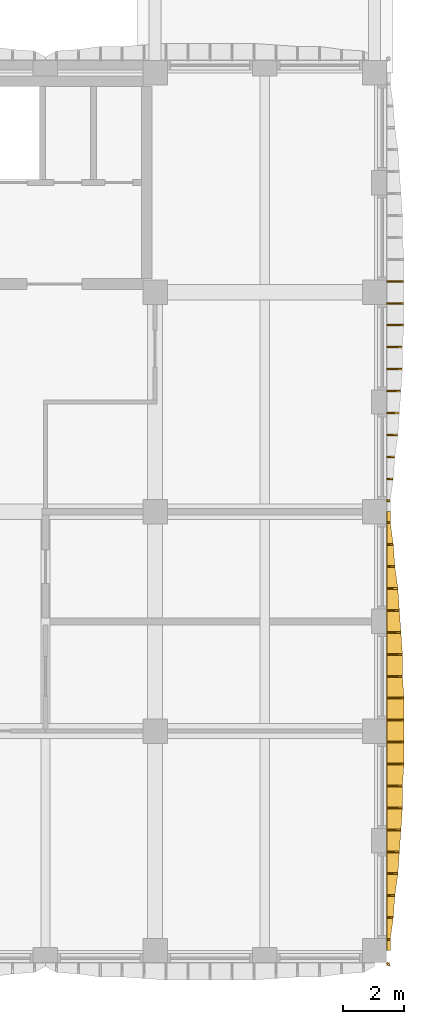
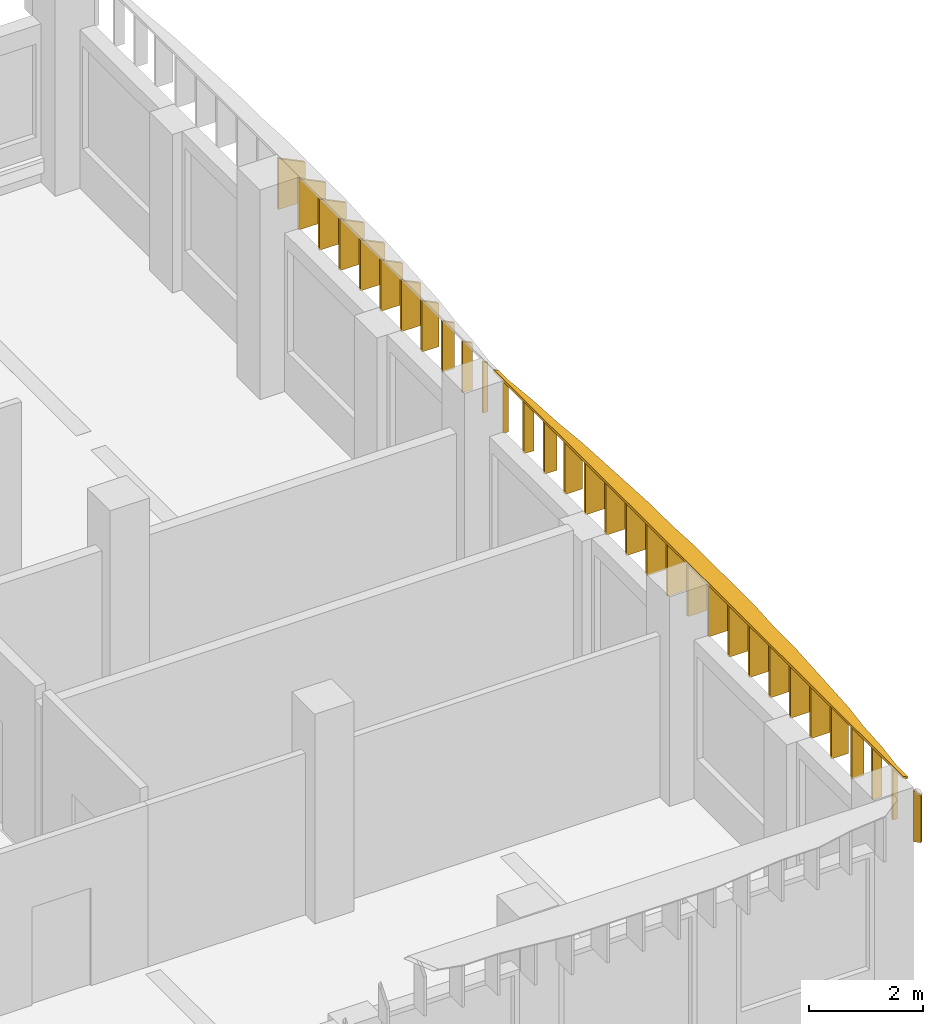
# One storey, part 41 of 59: 33 shading devices.
"""IFC4 building model written with IfcOpenShell, lengths in metres."""

from ifc_helpers import new_model, si_unit, direction, frame, origin, place, context, subcontext, project, spatial, polyline, outline, extrude, material, layer, layer_set, type_object, element, save


model = new_model("IFC4")

# Units and contexts
model_context = context("Model", 3, precision=1e-05, world=origin(), true_north=direction((0.0, 1.0)))
body_context = subcontext(model_context, "Body", "Model", "MODEL_VIEW")
ifc_project = project(units=[si_unit("LENGTHUNIT", "METRE"), si_unit("AREAUNIT", "SQUARE_METRE"), si_unit("VOLUMEUNIT", "CUBIC_METRE"), si_unit("PLANEANGLEUNIT", "RADIAN"), si_unit("MASSUNIT", "GRAM", prefix="KILO")], contexts=[model_context])

# Site, building, storey
site_placement = place(None, origin())
site = spatial("IfcSite", under=ifc_project, at=site_placement, CompositionType="ELEMENT")
building_placement = place(site_placement, origin())
building = spatial("IfcBuilding", under=site, at=building_placement, Name="Ussher Court Research Institute", CompositionType="ELEMENT")
storey_placement = place(building_placement, frame((0.0, 0.0, 5.39990234375)))
storey = spatial("IfcBuildingStorey", under=building, at=storey_placement, Name="L01", CompositionType="ELEMENT", Elevation=5.39990234375)

# Shading devices
ifc_material_1 = material(Name="Bronze anodised aluminium", Category="aluminium")
ifc_layer_1 = layer(ifc_material_1, 0.050048828125)
ifc_layer_set_1 = layer_set([ifc_layer_1], Name="Bronze anodised aluminium")
shading_device_type_1 = type_object("IfcShadingDeviceType", Name="Brim blade 100 mm deep 1100 mm high canted 26 deg wet", PredefinedType="USERDEFINED", material=ifc_layer_set_1)
for number, where, z_axis, x_axis, name in (
    (1, (104.199951171875, 18.760009765625, 3.35009765625), (0.0, 0.0, 1.0), (1.0, 0.0, 0.0), "Brim blade BS10 L01"),
    (2, (104.199951171875, 18.0400390625, 3.35009765625), (0.0, 0.0, 1.0), (1.0, 0.0, 0.0), "Brim blade BS10 L01"),
    (3, (104.199951171875, 4.360107421875, 3.35009765625), (0.0, 0.0, 1.0), (1.0, 0.0, 0.0), "Brim blade BS10 L01"),
):
    element("IfcShadingDevice", number, at=place(storey_placement, frame(where, z_axis=z_axis, x_axis=x_axis)), inside=storey, type_object=shading_device_type_1, Name=name, ObjectType="BLADE", PredefinedType="USERDEFINED", context=body_context, shape_type="SweptSolid", body=[
        extrude(outline(polyline([(0.0, 0.0), (0.10009765625, 0.0), (0.10009765625, 1.05126953125), (0.0, 1.10009765625), (0.0, 0.0)])), frame((0.0, 0.02490234375, 0.0), z_axis=(0.0, -1.0, 0.0), x_axis=(1.0, 0.0, 0.0)), (0.0, 0.0, 1.0), 0.050048828125),
    ])
ifc_material_2 = material(Name="Bronze anodised aluminium", Category="aluminium")
ifc_layer_2 = layer(ifc_material_2, 0.050048828125)
ifc_layer_set_2 = layer_set([ifc_layer_2], Name="Bronze anodised aluminium")
shading_device_type_2 = type_object("IfcShadingDeviceType", Name="Brim blade 200 mm deep 1100 mm high canted 26 deg wet", PredefinedType="USERDEFINED", material=ifc_layer_set_2)
for number, where, z_axis, x_axis, name in (
    (4, (104.199951171875, 19.47998046875, 3.35009765625), (0.0, 0.0, 1.0), (1.0, 0.0, 0.0), "Brim blade BS08 L01"),
    (5, (104.199951171875, 17.320068359375, 3.35009765625), (0.0, 0.0, 1.0), (1.0, 0.0, 0.0), "Brim blade BS08 L01"),
    (6, (104.199951171875, 5.080078125, 3.35009765625), (0.0, 0.0, 1.0), (1.0, 0.0, 0.0), "Brim blade BS08 L01"),
):
    element("IfcShadingDevice", number, at=place(storey_placement, frame(where, z_axis=z_axis, x_axis=x_axis)), inside=storey, type_object=shading_device_type_2, Name=name, ObjectType="BLADE", PredefinedType="USERDEFINED", context=body_context, shape_type="SweptSolid", body=[
        extrude(outline(polyline([(0.0, 0.0), (0.199951171875, 0.0), (0.199951171875, 1.00244140625), (0.0, 1.10009765625), (0.0, 0.0)])), frame((0.0, 0.02490234375, 0.0), z_axis=(0.0, -1.0, 0.0), x_axis=(1.0, 0.0, 0.0)), (0.0, 0.0, 1.0), 0.050048828125),
    ])
ifc_material_3 = material(Name="Bronze anodised aluminium", Category="aluminium")
ifc_layer_3 = layer(ifc_material_3, 0.050048828125)
ifc_layer_set_3 = layer_set([ifc_layer_3], Name="Bronze anodised aluminium")
shading_device_type_3 = type_object("IfcShadingDeviceType", Name="Brim blade 250 mm deep 1100 mm high canted 26 deg wet", PredefinedType="USERDEFINED", material=ifc_layer_set_3)
for number, where, z_axis, x_axis, name in (
    (7, (104.199951171875, 20.199951171875, 3.35009765625), (0.0, 0.0, 1.0), (1.0, 0.0, 0.0), "Brim blade BS07 L01"),
    (8, (104.199951171875, 16.60009765625, 3.35009765625), (0.0, 0.0, 1.0), (1.0, 0.0, 0.0), "Brim blade BS07 L01"),
    (9, (104.199951171875, 5.800048828125, 3.35009765625), (0.0, 0.0, 1.0), (1.0, 0.0, 0.0), "Brim blade BS07 L01"),
):
    element("IfcShadingDevice", number, at=place(storey_placement, frame(where, z_axis=z_axis, x_axis=x_axis)), inside=storey, type_object=shading_device_type_3, Name=name, ObjectType="BLADE", PredefinedType="USERDEFINED", context=body_context, shape_type="SweptSolid", body=[
        extrude(outline(polyline([(0.0, 0.0), (0.25, 0.0), (0.25, 0.97802734375), (0.0, 1.10009765625), (0.0, 0.0)])), frame((0.0, 0.02490234375, 0.0), z_axis=(0.0, -1.0, 0.0), x_axis=(1.0, 0.0, 0.0)), (0.0, 0.0, 1.0), 0.050048828125),
    ])
ifc_material_4 = material(Name="Bronze anodised aluminium", Category="aluminium")
ifc_layer_4 = layer(ifc_material_4, 0.050048828125)
ifc_layer_set_4 = layer_set([ifc_layer_4], Name="Bronze anodised aluminium")
shading_device_type_4 = type_object("IfcShadingDeviceType", Name="Brim blade 350 mm deep 1100 mm high canted 26 deg wet", PredefinedType="USERDEFINED", material=ifc_layer_set_4)
for number, where, z_axis, x_axis, name in (
    (10, (104.199951171875, 20.919921875, 3.35009765625), (0.0, 0.0, 1.0), (1.0, 0.0, 0.0), "Brim blade BS05 L01"),
    (11, (104.199951171875, 15.8798828125, 3.35009765625), (0.0, 0.0, 1.0), (1.0, 0.0, 0.0), "Brim blade BS05 L01"),
    (12, (104.199951171875, 6.52001953125, 3.35009765625), (0.0, 0.0, 1.0), (1.0, 0.0, 0.0), "Brim blade BS05 L01"),
):
    element("IfcShadingDevice", number, at=place(storey_placement, frame(where, z_axis=z_axis, x_axis=x_axis)), inside=storey, type_object=shading_device_type_4, Name=name, ObjectType="BLADE", PredefinedType="USERDEFINED", context=body_context, shape_type="SweptSolid", body=[
        extrude(outline(polyline([(0.0, 0.0), (0.35009765625, 0.0), (0.35009765625, 0.92919921875), (0.0, 1.10009765625), (0.0, 0.0)])), frame((0.0, 0.02490234375, 0.0), z_axis=(0.0, -1.0, 0.0), x_axis=(1.0, 0.0, 0.0)), (0.0, 0.0, 1.0), 0.050048828125),
    ])
ifc_material_5 = material(Name="Bronze anodised aluminium", Category="aluminium")
ifc_layer_5 = layer(ifc_material_5, 0.050048828125)
ifc_layer_set_5 = layer_set([ifc_layer_5], Name="Bronze anodised aluminium")
shading_device_type_5 = type_object("IfcShadingDeviceType", Name="Brim blade 400 mm deep 1100 mm high canted 26 deg wet", PredefinedType="USERDEFINED", material=ifc_layer_set_5)
for number, where, z_axis, x_axis, name in (
    (13, (104.199951171875, 21.639892578125, 3.35009765625), (0.0, 0.0, 1.0), (1.0, 0.0, 0.0), "Brim blade BS04 L01"),
    (14, (104.199951171875, 15.159912109375, 3.35009765625), (0.0, 0.0, 1.0), (1.0, 0.0, 0.0), "Brim blade BS04 L01"),
    (15, (104.199951171875, 7.239990234375, 3.35009765625), (0.0, 0.0, 1.0), (1.0, 0.0, 0.0), "Brim blade BS04 L01"),
):
    element("IfcShadingDevice", number, at=place(storey_placement, frame(where, z_axis=z_axis, x_axis=x_axis)), inside=storey, type_object=shading_device_type_5, Name=name, ObjectType="BLADE", PredefinedType="USERDEFINED", context=body_context, shape_type="SweptSolid", body=[
        extrude(outline(polyline([(0.0, 0.0), (0.400146484375, 0.0), (0.39990234375, 0.90478515625), (0.0, 1.10009765625), (0.0, 0.0)])), frame((0.0, 0.02490234375, 0.0), z_axis=(0.0, -1.0, 0.0), x_axis=(1.0, 0.0, 0.0)), (0.0, 0.0, 1.0), 0.050048828125),
    ])
ifc_material_6 = material(Name="Bronze anodised aluminium", Category="aluminium")
ifc_layer_6 = layer(ifc_material_6, 0.050048828125)
ifc_layer_set_6 = layer_set([ifc_layer_6], Name="Bronze anodised aluminium")
shading_device_type_6 = type_object("IfcShadingDeviceType", Name="Brim blade 450 mm deep 1100 mm high canted 26 deg wet", PredefinedType="USERDEFINED", material=ifc_layer_set_6)
for number, where, z_axis, x_axis, name in (
    (16, (104.199951171875, 22.360107421875, 3.35009765625), (0.0, 0.0, 1.0), (1.0, 0.0, 0.0), "Brim blade BS03 L01"),
    (17, (104.199951171875, 14.43994140625, 3.35009765625), (0.0, 0.0, 1.0), (1.0, 0.0, 0.0), "Brim blade BS03 L01"),
    (18, (104.199951171875, 7.9599609375, 3.35009765625), (0.0, 0.0, 1.0), (1.0, 0.0, 0.0), "Brim blade BS03 L01"),
):
    element("IfcShadingDevice", number, at=place(storey_placement, frame(where, z_axis=z_axis, x_axis=x_axis)), inside=storey, type_object=shading_device_type_6, Name=name, ObjectType="BLADE", PredefinedType="USERDEFINED", context=body_context, shape_type="SweptSolid", body=[
        extrude(outline(polyline([(0.0, 0.0), (0.449951171875, 0.0), (0.449951171875, 0.880615234375), (0.0, 1.10009765625), (0.0, 0.0)])), frame((0.0, 0.02490234375, 0.0), z_axis=(0.0, -1.0, 0.0), x_axis=(1.0, 0.0, 0.0)), (0.0, 0.0, 1.0), 0.050048828125),
    ])
ifc_material_7 = material(Name="Bronze anodised aluminium", Category="aluminium")
ifc_layer_7 = layer(ifc_material_7, 0.050048828125)
ifc_layer_set_7 = layer_set([ifc_layer_7], Name="Bronze anodised aluminium")
shading_device_type_7 = type_object("IfcShadingDeviceType", Name="Brim blade 500 mm deep 1100 mm high canted 26 deg wet", PredefinedType="USERDEFINED", material=ifc_layer_set_7)
for number, where, z_axis, x_axis, name in (
    (19, (104.199951171875, 23.800048828125, 3.35009765625), (0.0, 0.0, 1.0), (1.0, 0.0, 0.0), "Brim blade BS02 L01"),
    (20, (104.199951171875, 23.080078125, 3.35009765625), (0.0, 0.0, 1.0), (1.0, 0.0, 0.0), "Brim blade BS02 L01"),
    (21, (104.199951171875, 13.719970703125, 3.35009765625), (0.0, 0.0, 1.0), (1.0, 0.0, 0.0), "Brim blade BS02 L01"),
    (22, (104.199951171875, 13.0, 3.35009765625), (0.0, 0.0, 1.0), (1.0, 0.0, 0.0), "Brim blade BS02 L01"),
    (23, (104.199951171875, 9.39990234375, 3.35009765625), (0.0, 0.0, 1.0), (1.0, 0.0, 0.0), "Brim blade BS02 L01"),
    (24, (104.199951171875, 8.679931640625, 3.35009765625), (0.0, 0.0, 1.0), (1.0, 0.0, 0.0), "Brim blade BS02 L01"),
):
    element("IfcShadingDevice", number, at=place(storey_placement, frame(where, z_axis=z_axis, x_axis=x_axis)), inside=storey, type_object=shading_device_type_7, Name=name, ObjectType="BLADE", PredefinedType="USERDEFINED", context=body_context, shape_type="SweptSolid", body=[
        extrude(outline(polyline([(0.0, 0.0), (0.5, 0.0), (0.5, 0.856201171875), (0.0, 1.10009765625), (0.0, 0.0)])), frame((0.0, 0.02490234375, 0.0), z_axis=(0.0, -1.0, 0.0), x_axis=(1.0, 0.0, 0.0)), (0.0, 0.0, 1.0), 0.050048828125),
    ])
ifc_material_8 = material(Name="Bronze anodised aluminium", Category="aluminium")
ifc_layer_8 = layer(ifc_material_8, 0.050048828125)
ifc_layer_set_8 = layer_set([ifc_layer_8], Name="Bronze anodised aluminium")
shading_device_type_8 = type_object("IfcShadingDeviceType", Name="Brim blade 550 mm deep 1100 mm high canted 26 deg wet", PredefinedType="USERDEFINED", material=ifc_layer_set_8)
for number, where, z_axis, x_axis, name in (
    (25, (104.199951171875, 25.9599609375, 3.35009765625), (0.0, 0.0, 1.0), (1.0, 0.0, 0.0), "Brim blade BS01 L01"),
    (26, (104.199951171875, 25.239990234375, 3.35009765625), (0.0, 0.0, 1.0), (1.0, 0.0, 0.0), "Brim blade BS01 L01"),
    (27, (104.199951171875, 24.52001953125, 3.35009765625), (0.0, 0.0, 1.0), (1.0, 0.0, 0.0), "Brim blade BS01 L01"),
    (28, (104.199951171875, 12.280029296875, 3.35009765625), (0.0, 0.0, 1.0), (1.0, 0.0, 0.0), "Brim blade BS01 L01"),
    (29, (104.199951171875, 11.56005859375, 3.35009765625), (0.0, 0.0, 1.0), (1.0, 0.0, 0.0), "Brim blade BS01 L01"),
    (30, (104.199951171875, 10.840087890625, 3.35009765625), (0.0, 0.0, 1.0), (1.0, 0.0, 0.0), "Brim blade BS01 L01"),
    (31, (104.199951171875, 10.1201171875, 3.35009765625), (0.0, 0.0, 1.0), (1.0, 0.0, 0.0), "Brim blade BS01 L01"),
):
    element("IfcShadingDevice", number, at=place(storey_placement, frame(where, z_axis=z_axis, x_axis=x_axis)), inside=storey, type_object=shading_device_type_8, Name=name, ObjectType="BLADE", PredefinedType="USERDEFINED", context=body_context, shape_type="SweptSolid", body=[
        extrude(outline(polyline([(0.0, 0.0), (0.550048828125, 0.0), (0.550048828125, 0.831787109375), (0.0, 1.10009765625), (0.0, 0.0)])), frame((0.0, 0.02490234375, 0.0), z_axis=(0.0, -1.0, 0.0), x_axis=(1.0, 0.0, 0.0)), (0.0, 0.0, 1.0), 0.050048828125),
    ])
ifc_material_9 = material(Name="Bronze anodised aluminium", Category="aluminium")
ifc_layer_9 = layer(ifc_material_9, 0.050048828125)
ifc_layer_set_9 = layer_set([ifc_layer_9], Name="Bronze anodised aluminium")
shading_device_type_9 = type_object("IfcShadingDeviceType", Name="Brim mitre blade 100 mm deep 1100 mm high canted 26 deg wet", PredefinedType="USERDEFINED", material=ifc_layer_set_9)
shading_device_1_placement = place(storey_placement, frame((104.199951171875, 3.60009765625, 3.35009765625), z_axis=(0.0, 0.0, 1.0), x_axis=(0.707106781187, -0.707106781187, 0.0)))
element("IfcShadingDevice", 32, at=shading_device_1_placement, inside=storey, type_object=shading_device_type_9, Name="Brim mitre blade BS18 L01", ObjectType="BLADE", PredefinedType="USERDEFINED", context=body_context, shape_type="SweptSolid", body=[
    extrude(outline(polyline([(0.0, 0.0), (0.1416015625, 0.0), (0.141357421875, 1.00244140625), (0.0, 1.10009765625), (0.0, 0.0)])), frame((0.0, 0.02490234375, 0.0), z_axis=(0.0, -1.0, 0.0), x_axis=(1.0, 0.0, 0.0)), (0.0, 0.0, 1.0), 0.050048828125),
])
ifc_material_10 = material(Name="Bronze anodised aluminium", Category="aluminium")
ifc_layer_10 = layer(ifc_material_10, 0.0400390625)
ifc_layer_set_10 = layer_set([ifc_layer_10], Name="Bronze anodised aluminium")
shading_device_type_10 = type_object("IfcShadingDeviceType", Name="Brim visor sheet 40 mm canted 26 deg wet", PredefinedType="USERDEFINED", material=ifc_layer_set_10)
shading_device_2_placement = place(storey_placement, frame((104.217529296875, 18.39990234375, 4.486083984375), z_axis=(0.438529187419, 0.0, 0.898716947532), x_axis=(0.0, -1.0, 0.0)))
element("IfcShadingDevice", 33, at=shading_device_2_placement, inside=storey, type_object=shading_device_type_10, Name="Brim visor sheet BR1 L01", ObjectType="BRIM", PredefinedType="USERDEFINED", context=body_context, shape_type="SweptSolid", body=[
    extrude(outline(polyline([(0.0, 0.0), (14.39990234375, 0.0), (14.39990234375, 0.11115260474230423), (14.039794921875, 0.11115260474230423), (13.31982421875, 0.22252462280187707), (12.599853515625, 0.2782106318316635), (11.8798828125, 0.38936323657396776), (11.159912109375, 0.4449421828138569), (10.43994140625, 0.5006281918436433), (9.719970703125, 0.5563142008734296), (9.0, 0.5563142008734296), (8.27978515625, 0.6120002099032161), (7.559814453125, 0.6120002099032161), (6.83984375, 0.6120002099032161), (6.119873046875, 0.6120002099032161), (5.39990234375, 0.5563142008734296), (4.679931640625, 0.5563142008734296), (3.9599609375, 0.5006281918436433), (3.239990234375, 0.4449421828138569), (2.52001953125, 0.38936323657396776), (1.7998046875, 0.2782106318316635), (1.079833984375, 0.22252462280187707), (0.35986328125, 0.11115260474230423), (0.0, 0.11115260474230423), (0.0, 0.0)])), origin(), (0.0, 0.0, -1.0), 0.0400390625),
])

save(model, "model.ifc")
